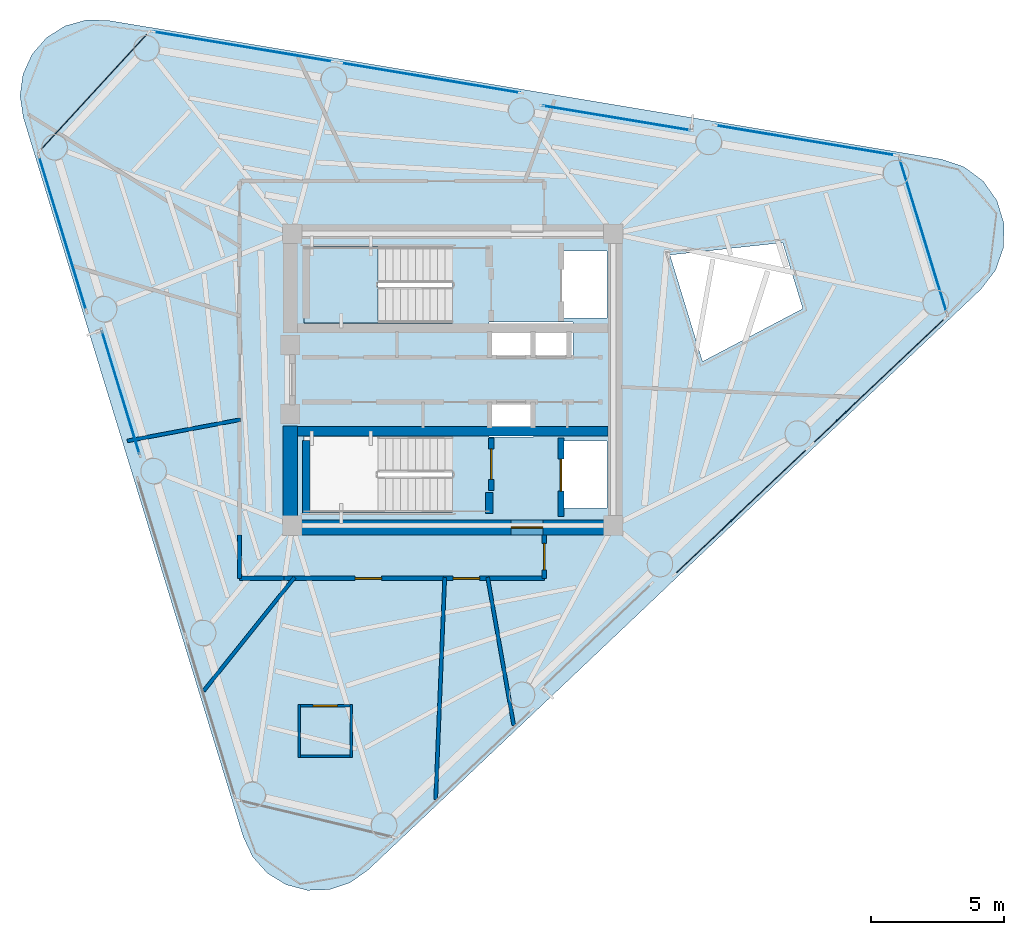
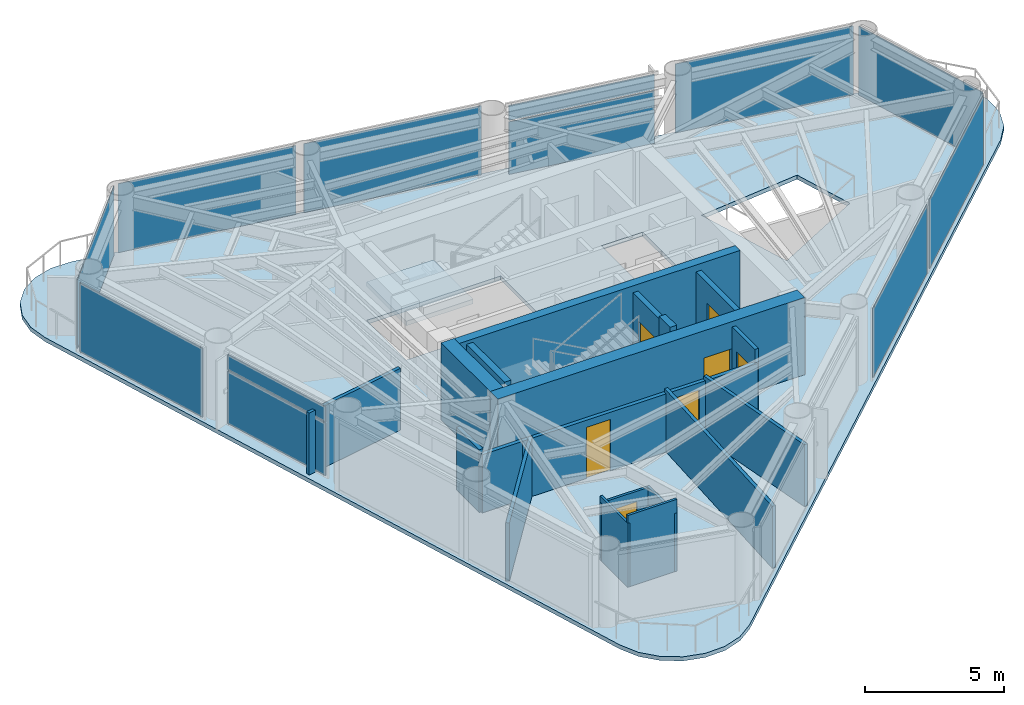
# One storey, part 5 of 9: 19 walls, 12 plates, 7 doors, 2 slabs, 7 openings, 11 elements without a shape of their own.
"""IFC4 building model written with IfcOpenShell, lengths in metres."""

from ifc_helpers import new_model, si_unit, direction, frame, frame_2d, origin, origin_2d, place, context, subcontext, project, spatial, polyline, rectangle, outline, extrude, source, transform, mapped, material, layer, layer_set, type_object, element, fill, aggregate, save


model = new_model("IFC4")

# Units and contexts
model_context = context("Model", 3, precision=1e-05, world=origin(), true_north=direction((0.0, 1.0)))
body_context = subcontext(model_context, "Body", "Model", "MODEL_VIEW")
ifc_project = project(units=[si_unit("LENGTHUNIT", "METRE"), si_unit("AREAUNIT", "SQUARE_METRE"), si_unit("VOLUMEUNIT", "CUBIC_METRE"), si_unit("PLANEANGLEUNIT", "RADIAN"), si_unit("MASSUNIT", "GRAM", prefix="KILO")], contexts=[model_context])

# Site, building, storey
site_placement = place(None, origin())
site = spatial("IfcSite", under=ifc_project, at=site_placement, CompositionType="ELEMENT")
building_placement = place(site_placement, origin())
building = spatial("IfcBuilding", under=site, at=building_placement, Name="Yunling Apex Tower", CompositionType="ELEMENT")
storey_placement = place(building_placement, frame((0.0, 0.0, 249.050048828125)))
storey = spatial("IfcBuildingStorey", under=building, at=storey_placement, Name="L61", CompositionType="ELEMENT", Elevation=249.050048828125)

# Slab
ifc_material_1 = material(Name="Concrete C40", Category="concrete")
ifc_layer_1 = layer(ifc_material_1, 0.155029296875)
ifc_layer_set_1 = layer_set([ifc_layer_1], Name="Concrete C40")
slab_type_1 = type_object("IfcSlabType", Name="SL-FLR-3", PredefinedType="FLOOR", material=ifc_layer_set_1)
slab_1_placement = place(storey_placement, frame((0.0, 0.0, -0.179931640625)))
element("IfcSlab", 1, at=slab_1_placement, inside=storey, type_object=slab_type_1, Name="L61 Composite Tower Floor Slab", PredefinedType="FLOOR", context=body_context, shape_type="SweptSolid", body=[
    extrude(outline(polyline([(-7.894287109375, -17.243408203125), (-7.54052734375, -17.991455078125), (-6.9873046875, -18.60693359375), (-6.281005859375, -19.0380859375), (-5.480712890625, -19.249267578125), (-4.65380859375, -19.22216796875), (-3.868896484375, -18.959716796875), (-3.192138671875, -18.483154296875), (19.91064453125, 3.409912109375), (20.459716796875, 4.126220703125), (20.7578125, 4.977783203125), (20.776123046875, 5.880126953125), (20.51220703125, 6.7431640625), (19.99267578125, 7.48095703125), (19.26904296875, 8.02001953125), (18.41357421875, 8.306884765625), (-12.982177734375, 13.538330078125), (-13.8095703125, 13.5546875), (-14.60693359375, 13.33349609375), (-15.307861328125, 12.8935546875), (-15.853271484375, 12.27099609375), (-16.197509765625, 11.5185546875), (-16.31201171875, 10.698974609375), (-16.187255859375, 9.881103515625), (-7.894287109375, -17.243408203125)]), holes=[polyline([(8.18408203125, 4.697998046875), (12.434326171875, 5.160888671875), (13.194580078125, 2.674560546875), (9.412109375, 0.681640625), (8.18408203125, 4.697998046875)]), polyline([(4.090087890625, -2.320068359375), (5.81005859375, -2.320068359375), (5.81005859375, -4.840087890625), (4.090087890625, -4.840087890625), (4.090087890625, -2.320068359375)]), polyline([(4.090087890625, 4.840087890625), (5.81005859375, 4.840087890625), (5.81005859375, 2.320068359375), (4.090087890625, 2.320068359375), (4.090087890625, 4.840087890625)]), polyline([(1.364990234375, 0.794921875), (1.364990234375, 2.1650390625), (4.534912109375, 2.1650390625), (4.534912109375, 0.794921875), (1.364990234375, 0.794921875)]), polyline([(1.364990234375, -0.794921875), (3.034912109375, -0.794921875), (3.034912109375, -2.1650390625), (1.364990234375, -2.1650390625), (1.364990234375, -0.794921875)]), polyline([(-0.010009765625, -5.010009765625), (-5.60009765625, -5.010009765625), (-5.60009765625, -2.139892578125), (-0.010009765625, -2.139892578125), (-0.010009765625, -5.010009765625)]), polyline([(-0.010009765625, 2.139892578125), (-5.60009765625, 2.139892578125), (-5.60009765625, 5.010009765625), (-0.010009765625, 5.010009765625), (-0.010009765625, 2.139892578125)])]), origin(), (0.0, 0.0, 1.0), 0.179931640625),
])

# Stair, slab
stair_type = type_object("IfcStairType", Name="ST-TWR-3", PredefinedType="HALF_TURN_STAIR", material=ifc_material_1)
stair_placement = place(storey_placement, origin())
stair = element("IfcStair", 2, at=stair_placement, inside=storey, type_object=stair_type, Name="L61 North Core Smokeproof Exit Stair ST-1", PredefinedType="HALF_TURN_STAIR")
ifc_layer_2 = layer(ifc_material_1, 0.195068359375)
ifc_layer_set_2 = layer_set([ifc_layer_2], Name="Concrete C40")
slab_type_2 = type_object("IfcSlabType", Name="SL-LND-1", PredefinedType="LANDING", material=ifc_layer_set_2)
slab_2_placement = place(storey_placement, frame((0.0, 0.0, 1.5048828125)))
slab_2 = element("IfcSlab", 3, at=slab_2_placement, type_object=slab_type_2, Name="ST-1 landing 1", PredefinedType="LANDING", context=body_context, shape_type="SweptSolid", body=[
    extrude(outline(polyline([(-2.81005859375, 5.010009765625), (-5.60009765625, 5.010009765625), (-5.60009765625, 2.139892578125), (-2.81005859375, 2.139892578125), (-2.81005859375, 5.010009765625)])), origin(), (0.0, 0.0, 1.0), 0.195068359375),
])
aggregate(stair, [slab_2])

# Curtain wall, plate
ifc_material_2 = material(Name="Bronze anodised aluminium", Category="aluminium")
ifc_layer_3 = layer(ifc_material_2, 0.219970703125)
ifc_layer_set_3 = layer_set([ifc_layer_3], Name="Bronze anodised aluminium")
curtain_wall_type = type_object("IfcCurtainWallType", Name="CW-SYS-4", PredefinedType="NOTDEFINED", material=ifc_layer_set_3)
curtain_wall_1_placement = place(storey_placement, origin())
curtain_wall_1 = element("IfcCurtainWall", 4, at=curtain_wall_1_placement, inside=storey, type_object=curtain_wall_type, Name="CW-L61-F1-B3", PredefinedType="NOTDEFINED")
ifc_material_3 = material(Name="Bronze tinted low-E glass", Category="glass")
ifc_layer_4 = layer(ifc_material_3, 0.030029296875)
ifc_layer_set_4 = layer_set([ifc_layer_4], Name="Bronze tinted low-E glass")
plate_type = type_object("IfcPlateType", Name="CW-PNL-4", PredefinedType="CURTAIN_PANEL", material=ifc_layer_set_4)
shared_shape_1 = source(origin(), body_context, "Body", "SweptSolid", [
    extrude(rectangle(XDim=6.857421875, YDim=0.030029296875, at=origin_2d()), origin(), (0.0, 0.0, 1.0), 3.035888671875),
])
plate_1_placement = place(storey_placement, frame((10.862060546875, -4.97216796875, 0.07177734375), z_axis=(0.0, 0.0, 1.0), x_axis=(0.72585471909, 0.687848040467, 0.0)))
plate_1 = element("IfcPlate", 5, at=plate_1_placement, type_object=plate_type, Name="CW-SYS-4 panel 1.1", PredefinedType="CURTAIN_PANEL", context=body_context, shape_type="MappedRepresentation", body=[
    mapped(shared_shape_1, transform((0.0, 0.0, 0.0), scale=1.0)),
])
aggregate(curtain_wall_1, [plate_1])

curtain_wall_2_placement = place(storey_placement, origin())
curtain_wall_2 = element("IfcCurtainWall", 6, at=curtain_wall_2_placement, inside=storey, type_object=curtain_wall_type, Name="CW-L61-F1-B4", PredefinedType="NOTDEFINED")
plate_2_placement = place(storey_placement, frame((16.060302734375, -0.046142578125, 0.07177734375), z_axis=(0.0, 0.0, 1.0), x_axis=(0.72585471909, 0.687848040467, 0.0)))
plate_2 = element("IfcPlate", 7, at=plate_2_placement, type_object=plate_type, Name="CW-SYS-4 panel 1.1", PredefinedType="CURTAIN_PANEL", context=body_context, shape_type="MappedRepresentation", body=[
    mapped(shared_shape_1, transform((0.0, 0.0, 0.0), scale=1.0)),
])
aggregate(curtain_wall_2, [plate_2])

curtain_wall_3_placement = place(storey_placement, origin())
curtain_wall_3 = element("IfcCurtainWall", 8, at=curtain_wall_3_placement, inside=storey, type_object=curtain_wall_type, Name="CW-L61-F2-B1", PredefinedType="NOTDEFINED")
plate_3_placement = place(storey_placement, frame((13.288818359375, 9.01904296875, 0.07177734375), z_axis=(0.0, 0.0, 1.0), x_axis=(-0.9864016432, 0.164352664392, 0.0)))
plate_3 = element("IfcPlate", 9, at=plate_3_placement, type_object=plate_type, Name="CW-SYS-4 panel 1.1", PredefinedType="CURTAIN_PANEL", context=body_context, shape_type="MappedRepresentation", body=[
    mapped(shared_shape_1, transform((0.0, 0.0, 0.0), scale=1.0)),
])
aggregate(curtain_wall_3, [plate_3])

curtain_wall_4_placement = place(storey_placement, origin())
curtain_wall_4 = element("IfcCurtainWall", 10, at=curtain_wall_4_placement, inside=storey, type_object=curtain_wall_type, Name="CW-L61-F2-B3", PredefinedType="NOTDEFINED")
plate_4_placement = place(storey_placement, frame((-0.83935546875, 11.373046875, 0.07177734375), z_axis=(0.0, 0.0, 1.0), x_axis=(-0.9864016432, 0.164352664392, 0.0)))
plate_4 = element("IfcPlate", 11, at=plate_4_placement, type_object=plate_type, Name="CW-SYS-4 panel 1.1", PredefinedType="CURTAIN_PANEL", context=body_context, shape_type="MappedRepresentation", body=[
    mapped(shared_shape_1, transform((0.0, 0.0, 0.0), scale=1.0)),
])
aggregate(curtain_wall_4, [plate_4])

curtain_wall_5_placement = place(storey_placement, origin())
curtain_wall_5 = element("IfcCurtainWall", 12, at=curtain_wall_5_placement, inside=storey, type_object=curtain_wall_type, Name="CW-L61-F2-B4", PredefinedType="NOTDEFINED")
plate_5_placement = place(storey_placement, frame((-7.9033203125, 12.550048828125, 0.07177734375), z_axis=(0.0, 0.0, 1.0), x_axis=(-0.9864016432, 0.164352664392, 0.0)))
plate_5 = element("IfcPlate", 13, at=plate_5_placement, type_object=plate_type, Name="CW-SYS-4 panel 1.1", PredefinedType="CURTAIN_PANEL", context=body_context, shape_type="MappedRepresentation", body=[
    mapped(shared_shape_1, transform((0.0, 0.0, 0.0), scale=1.0)),
])
aggregate(curtain_wall_5, [plate_5])

# Curtain wall, plates
curtain_wall_6_placement = place(storey_placement, origin())
curtain_wall_6 = element("IfcCurtainWall", 14, at=curtain_wall_6_placement, inside=storey, type_object=curtain_wall_type, Name="CW-L61-F2-B2", PredefinedType="NOTDEFINED")
shared_shape_2 = source(origin(), body_context, "Body", "SweptSolid", [
    extrude(rectangle(XDim=5.617431640625, YDim=0.030029296875, at=origin_2d()), origin(), (0.0, 0.0, 1.0), 2.312744140625),
])
plate_6_placement = place(storey_placement, frame((6.168701171875, 9.860595703125, 0.07177734375), z_axis=(0.0, 0.0, 1.0), x_axis=(-0.986398614513, 0.164370840747, 0.0)))
plate_6 = element("IfcPlate", 15, at=plate_6_placement, type_object=plate_type, Name="CW-SYS-4 panel 1.1", PredefinedType="CURTAIN_PANEL", context=body_context, shape_type="MappedRepresentation", body=[
    mapped(shared_shape_2, transform((0.0, 0.0, 0.0), scale=1.0)),
])
shared_shape_3 = source(origin(), body_context, "Body", "SweptSolid", [
    extrude(rectangle(XDim=5.617431640625, YDim=0.030029296875, at=origin_2d()), origin(), (0.0, 0.0, 1.0), 0.6591796875),
])
plate_7_placement = place(storey_placement, frame((6.168701171875, 9.860595703125, 2.44873046875), z_axis=(0.0, 0.0, 1.0), x_axis=(-0.986398614513, 0.164370840747, 0.0)))
plate_7 = element("IfcPlate", 16, at=plate_7_placement, type_object=plate_type, Name="CW-SYS-4 panel 1.2", PredefinedType="CURTAIN_PANEL", context=body_context, shape_type="MappedRepresentation", body=[
    mapped(shared_shape_3, transform((0.0, 0.0, 0.0), scale=1.0)),
])
aggregate(curtain_wall_6, [plate_6, plate_7])

# Curtain wall, plate
curtain_wall_7_placement = place(storey_placement, origin())
curtain_wall_7 = element("IfcCurtainWall", 17, at=curtain_wall_7_placement, inside=storey, type_object=curtain_wall_type, Name="CW-L61-CRN1", PredefinedType="NOTDEFINED")
shared_shape_4 = source(origin(), body_context, "Body", "SweptSolid", [
    extrude(rectangle(XDim=6.108642578125, YDim=0.030029296875, at=origin_2d()), origin(), (0.0, 0.0, 1.0), 3.035888671875),
])
plate_8_placement = place(storey_placement, frame((17.7314453125, 5.421142578125, 0.07177734375), z_axis=(0.0, 0.0, 1.0), x_axis=(-0.292369275379, 0.956305498685, 0.0)))
plate_8 = element("IfcPlate", 18, at=plate_8_placement, type_object=plate_type, Name="CW-SYS-4 panel 1.1", PredefinedType="CURTAIN_PANEL", context=body_context, shape_type="MappedRepresentation", body=[
    mapped(shared_shape_4, transform((0.0, 0.0, 0.0), scale=1.0)),
])
aggregate(curtain_wall_7, [plate_8])

curtain_wall_8_placement = place(storey_placement, origin())
curtain_wall_8 = element("IfcCurtainWall", 19, at=curtain_wall_8_placement, inside=storey, type_object=curtain_wall_type, Name="CW-L61-CRN2", PredefinedType="NOTDEFINED")
shared_shape_5 = source(origin(), body_context, "Body", "SweptSolid", [
    extrude(rectangle(XDim=6.033203125, YDim=0.030029296875, at=origin_2d()), origin(), (0.0, 0.0, 1.0), 3.035888671875),
])
plate_9_placement = place(storey_placement, frame((-13.529052734375, 10.84521484375, 0.07177734375), z_axis=(0.0, 0.0, 1.0), x_axis=(-0.676835909266, -0.736133922549, 0.0)))
plate_9 = element("IfcPlate", 20, at=plate_9_placement, type_object=plate_type, Name="CW-SYS-4 panel 1.1", PredefinedType="CURTAIN_PANEL", context=body_context, shape_type="MappedRepresentation", body=[
    mapped(shared_shape_5, transform((0.0, 0.0, 0.0), scale=1.0)),
])
aggregate(curtain_wall_8, [plate_9])

curtain_wall_9_placement = place(storey_placement, origin())
curtain_wall_9 = element("IfcCurtainWall", 21, at=curtain_wall_9_placement, inside=storey, type_object=curtain_wall_type, Name="CW-L61-F3-B1", PredefinedType="NOTDEFINED")
shared_shape_6 = source(origin(), body_context, "Body", "SweptSolid", [
    extrude(rectangle(XDim=6.077880859375, YDim=0.030029296875, at=origin_2d()), origin(), (0.0, 0.0, 1.0), 3.035888671875),
])
plate_10_placement = place(storey_placement, frame((-14.705810546875, 5.51416015625, 0.07177734375), z_axis=(0.0, 0.0, 1.0), x_axis=(0.29237206414, -0.956304646078, 0.0)))
plate_10 = element("IfcPlate", 22, at=plate_10_placement, type_object=plate_type, Name="CW-SYS-4 panel 1.1", PredefinedType="CURTAIN_PANEL", context=body_context, shape_type="MappedRepresentation", body=[
    mapped(shared_shape_6, transform((0.0, 0.0, 0.0), scale=1.0)),
])
aggregate(curtain_wall_9, [plate_10])

# Curtain wall, plates
curtain_wall_10_placement = place(storey_placement, origin())
curtain_wall_10 = element("IfcCurtainWall", 23, at=curtain_wall_10_placement, inside=storey, type_object=curtain_wall_type, Name="CW-L61-F3-B2", PredefinedType="NOTDEFINED")
shared_shape_7 = source(origin(), body_context, "Body", "SweptSolid", [
    extrude(rectangle(XDim=4.837890625, YDim=0.030029296875, at=origin_2d()), origin(), (0.0, 0.0, 1.0), 2.312744140625),
])
plate_11_placement = place(storey_placement, frame((-12.5146484375, -0.489501953125, 0.07177734375), z_axis=(0.0, 0.0, 1.0), x_axis=(0.29237304737, -0.956304345474, 0.0)))
plate_11 = element("IfcPlate", 24, at=plate_11_placement, type_object=plate_type, Name="CW-SYS-4 panel 1.1", PredefinedType="CURTAIN_PANEL", context=body_context, shape_type="MappedRepresentation", body=[
    mapped(shared_shape_7, transform((0.0, 0.0, 0.0), scale=1.0)),
])
shared_shape_8 = source(origin(), body_context, "Body", "SweptSolid", [
    extrude(rectangle(XDim=4.837890625, YDim=0.030029296875, at=origin_2d()), origin(), (0.0, 0.0, 1.0), 0.6591796875),
])
plate_12_placement = place(storey_placement, frame((-12.5146484375, -0.489501953125, 2.44873046875), z_axis=(0.0, 0.0, 1.0), x_axis=(0.29237304737, -0.956304345474, 0.0)))
plate_12 = element("IfcPlate", 25, at=plate_12_placement, type_object=plate_type, Name="CW-SYS-4 panel 1.2", PredefinedType="CURTAIN_PANEL", context=body_context, shape_type="MappedRepresentation", body=[
    mapped(shared_shape_8, transform((0.0, 0.0, 0.0), scale=1.0)),
])
aggregate(curtain_wall_10, [plate_11, plate_12])

# Wall, opening, door
ifc_layer_5 = layer(ifc_material_1, 0.550048828125)
ifc_layer_set_5 = layer_set([ifc_layer_5], Name="Concrete C40")
wall_type_1 = type_object("IfcWallType", Name="WL-COR-3", PredefinedType="SHEAR", material=ifc_layer_set_5)
wall_1_placement = place(storey_placement, frame((-6.39990234375, -5.574951171875, 0.0), z_axis=(0.0, 0.0, 1.0), x_axis=(1.0, 0.0, 0.0)))
wall_1 = element("IfcWall", 26, at=wall_1_placement, inside=storey, type_object=wall_type_1, Name="L61 South Core Shear Wall", PredefinedType="SHEAR", context=body_context, shape_type="SweptSolid", body=[
    extrude(rectangle(XDim=12.7998046875, YDim=0.550048828125, at=frame_2d((6.39990234375, 0.0))), origin(), (0.0, 0.0, 1.0), 3.39990234375),
])
opening_1_placement = place(wall_1_placement, frame((8.60009765625, 0.0, 0.0)))
opening_1 = element("IfcOpeningElement", 27, at=opening_1_placement, cuts=wall_1, Name="Opening DR-FFL-1", PredefinedType="OPENING", context=body_context, shape_type="SweptSolid", body=[
    extrude(rectangle(XDim=1.199951171875, YDim=2.199951171875, at=frame_2d((0.60009765625, 1.10009765625))), frame((0.0, 0.28515625, 0.0), z_axis=(0.0, -1.0, 0.0), x_axis=(1.0, 0.0, 0.0)), (0.0, 0.0, 1.0), 0.570068359375),
])
ifc_material_4 = material(Name="Steel Q355B", Category="steel")
door_type_1 = type_object("IfcDoorType", Name="DR-FFL-1", OperationType="NOTDEFINED", PredefinedType="DOOR", material=ifc_material_4)
door_1_placement = place(opening_1_placement, origin())
door_1 = element("IfcDoor", 28, at=door_1_placement, inside=storey, type_object=door_type_1, Name="L61 South Firefighting Lobby Door", OperationType="SINGLE_SWING_RIGHT", OverallHeight=2.199951171875, OverallWidth=1.199951171875, PredefinedType="DOOR", context=body_context, shape_type="SweptSolid", body=[
    extrude(rectangle(XDim=1.199951171875, YDim=2.199951171875, at=frame_2d((0.60009765625, 1.10009765625))), frame((0.0, 0.02490234375, 0.0), z_axis=(0.0, -1.0, 0.0), x_axis=(1.0, 0.0, 0.0)), (0.0, 0.0, 1.0), 0.050048828125),
])
fill(opening_1, door_1)

# Walls
wall_2_placement = place(storey_placement, frame((-6.125, -5.300048828125, 0.0), z_axis=(0.0, 0.0, 1.0), x_axis=(0.0, 1.0, 0.0)))
element("IfcWall", 29, at=wall_2_placement, inside=storey, type_object=wall_type_1, Name="L61 West-South Core Shear Wall", PredefinedType="SHEAR", context=body_context, shape_type="SweptSolid", body=[
    extrude(rectangle(XDim=3.550048828125, YDim=0.550048828125, at=frame_2d((1.77490234375, 0.0))), origin(), (0.0, 0.0, 1.0), 3.39990234375),
])
ifc_layer_6 = layer(ifc_material_1, 0.360107421875)
ifc_layer_set_6 = layer_set([ifc_layer_6], Name="Concrete C40")
wall_type_2 = type_object("IfcWallType", Name="WL-COR-4", PredefinedType="SHEAR", material=ifc_layer_set_6)
wall_3_placement = place(storey_placement, frame((-5.85009765625, -1.93994140625, 0.0), z_axis=(0.0, 0.0, 1.0), x_axis=(1.0, 0.0, 0.0)))
element("IfcWall", 30, at=wall_3_placement, inside=storey, type_object=wall_type_2, Name="L61 South Internal Core Shear Wall", PredefinedType="SHEAR", context=body_context, shape_type="SweptSolid", body=[
    extrude(rectangle(XDim=11.7001953125, YDim=0.360107421875, at=frame_2d((5.85009765625, 0.0))), origin(), (0.0, 0.0, 1.0), 3.39990234375),
])
ifc_layer_7 = layer(ifc_material_1, 0.280029296875)
ifc_layer_set_7 = layer_set([ifc_layer_7], Name="Concrete C40")
wall_type_3 = type_object("IfcWallType", Name="WL-COR-8", PredefinedType="SHEAR", material=ifc_layer_set_7)
wall_4_placement = place(storey_placement, frame((-5.52001953125, -5.050048828125, 0.0), z_axis=(0.0, 0.0, 1.0), x_axis=(0.0, 1.0, 0.0)))
element("IfcWall", 31, at=wall_4_placement, inside=storey, type_object=wall_type_3, Name="L61 ST-2 West Landing Bearing Wall", PredefinedType="SHEAR", context=body_context, shape_type="SweptSolid", body=[
    extrude(rectangle(XDim=2.75, YDim=0.280029296875, at=frame_2d((1.375, 0.0))), origin(), (0.0, 0.0, 1.0), 3.39990234375),
])
wall_5_placement = place(storey_placement, frame((1.3798828125, -5.050048828125, 0.0), z_axis=(0.0, 0.0, 1.0), x_axis=(0.0, 1.0, 0.0)))
element("IfcWall", 32, at=wall_5_placement, inside=storey, type_object=wall_type_3, Name="L61 ST-2 East Landing Bearing Pier", PredefinedType="SHEAR", context=body_context, shape_type="SweptSolid", body=[
    extrude(rectangle(XDim=0.800048828125, YDim=0.280029296875, at=frame_2d((0.39990234375, 0.0))), origin(), (0.0, 0.0, 1.0), 3.39990234375),
])

# Wall, opening, door
ifc_material_5 = material(Name="Gypsum board acoustic partition")
ifc_layer_8 = layer(ifc_material_5, 0.159912109375)
ifc_layer_set_8 = layer_set([ifc_layer_8], Name="Gypsum board acoustic partition")
wall_type_4 = type_object("IfcWallType", Name="WL-PRT-1", PredefinedType="PARTITIONING", material=ifc_layer_set_8)
wall_6_placement = place(storey_placement, frame((3.449951171875, -5.85009765625, 0.0), z_axis=(0.0, 0.0, 1.0), x_axis=(0.0, -1.0, 0.0)))
wall_6 = element("IfcWall", 33, at=wall_6_placement, inside=storey, type_object=wall_type_4, Name="WL-CORR-L61-05", PredefinedType="PARTITIONING", context=body_context, shape_type="SweptSolid", body=[
    extrude(rectangle(XDim=1.639892578125, YDim=0.159912109375, at=frame_2d((0.81982421875, 0.0))), origin(), (0.0, 0.0, 1.0), 3.159912109375),
])
opening_2_placement = place(wall_6_placement, frame((0.320068359375, 0.0, 0.0)))
opening_2 = element("IfcOpeningElement", 34, at=opening_2_placement, cuts=wall_6, Name="Opening DR-OFF-1", PredefinedType="OPENING", context=body_context, shape_type="SweptSolid", body=[
    extrude(rectangle(XDim=1.0, YDim=2.25, at=frame_2d((0.5, 1.125))), frame((0.0, 0.08984375, 0.0), z_axis=(0.0, -1.0, 0.0), x_axis=(1.0, 0.0, 0.0)), (0.0, 0.0, 1.0), 0.179931640625),
])
door_type_2 = type_object("IfcDoorType", Name="DR-OFF-1", OperationType="NOTDEFINED", PredefinedType="DOOR", material=ifc_material_2)
door_2_placement = place(opening_2_placement, origin())
door_2 = element("IfcDoor", 35, at=door_2_placement, inside=storey, type_object=door_type_2, Name="L61 Concierge Reception Foyer Door", OperationType="SINGLE_SWING_LEFT", OverallHeight=2.25, OverallWidth=1.0, PredefinedType="DOOR", context=body_context, shape_type="SweptSolid", body=[
    extrude(rectangle(XDim=1.0, YDim=2.25, at=frame_2d((0.5, 1.125))), frame((0.0, 0.02490234375, 0.0), z_axis=(0.0, -1.0, 0.0), x_axis=(1.0, 0.0, 0.0)), (0.0, 0.0, 1.0), 0.050048828125),
])
fill(opening_2, door_2)

# Wall, openings, doors
wall_7_placement = place(storey_placement, frame((3.449951171875, -7.489990234375, 0.0), z_axis=(0.0, 0.0, 1.0), x_axis=(-1.0, 0.0, 0.0)))
wall_7 = element("IfcWall", 36, at=wall_7_placement, inside=storey, type_object=wall_type_4, Name="WL-CORR-L61-06", PredefinedType="PARTITIONING", context=body_context, shape_type="SweptSolid", body=[
    extrude(rectangle(XDim=9.81005859375, YDim=0.159912109375, at=frame_2d((4.905029296875, 0.0))), origin(), (0.0, 0.0, 1.0), 2.56494140625),
])
opening_3_placement = place(wall_7_placement, frame((2.437255859375, 0.0, 0.0)))
opening_3 = element("IfcOpeningElement", 37, at=opening_3_placement, cuts=wall_7, Name="Opening DR-OFF-1", PredefinedType="OPENING", context=body_context, shape_type="SweptSolid", body=[
    extrude(rectangle(XDim=1.0, YDim=2.25, at=frame_2d((0.5, 1.125))), frame((0.0, 0.08984375, 0.0), z_axis=(0.0, -1.0, 0.0), x_axis=(1.0, 0.0, 0.0)), (0.0, 0.0, 1.0), 0.179931640625),
])
opening_4_placement = place(wall_7_placement, frame((6.135009765625, 0.0, 0.0)))
opening_4 = element("IfcOpeningElement", 38, at=opening_4_placement, cuts=wall_7, Name="Opening DR-OFF-1", PredefinedType="OPENING", context=body_context, shape_type="SweptSolid", body=[
    extrude(rectangle(XDim=1.0, YDim=2.25, at=frame_2d((0.5, 1.125))), frame((0.0, 0.08984375, 0.0), z_axis=(0.0, -1.0, 0.0), x_axis=(1.0, 0.0, 0.0)), (0.0, 0.0, 1.0), 0.179931640625),
])
door_3_placement = place(opening_3_placement, origin())
door_3 = element("IfcDoor", 39, at=door_3_placement, inside=storey, type_object=door_type_2, Name="L61 Residents Quiet Study Lounge Door", OperationType="SINGLE_SWING_RIGHT", OverallHeight=2.25, OverallWidth=1.0, PredefinedType="DOOR", context=body_context, shape_type="SweptSolid", body=[
    extrude(rectangle(XDim=1.0, YDim=2.25, at=frame_2d((0.5, 1.125))), frame((0.0, 0.02490234375, 0.0), z_axis=(0.0, -1.0, 0.0), x_axis=(1.0, 0.0, 0.0)), (0.0, 0.0, 1.0), 0.050048828125),
])
fill(opening_3, door_3)
door_4_placement = place(opening_4_placement, origin())
door_4 = element("IfcDoor", 40, at=door_4_placement, inside=storey, type_object=door_type_2, Name="L61 Concierge Reception Foyer Door", OperationType="SINGLE_SWING_LEFT", OverallHeight=2.25, OverallWidth=1.0, PredefinedType="DOOR", context=body_context, shape_type="SweptSolid", body=[
    extrude(rectangle(XDim=1.0, YDim=2.25, at=frame_2d((0.5, 1.125))), frame((0.0, 0.02490234375, 0.0), z_axis=(0.0, -1.0, 0.0), x_axis=(1.0, 0.0, 0.0)), (0.0, 0.0, 1.0), 0.050048828125),
])
fill(opening_4, door_4)

# Walls
wall_8_placement = place(storey_placement, frame((-6.360107421875, -7.489990234375, 0.0), z_axis=(0.0, 0.0, 1.0), x_axis=(-1.0, 0.0, 0.0)))
element("IfcWall", 41, at=wall_8_placement, inside=storey, type_object=wall_type_4, Name="WL-CORR-L61-07", PredefinedType="PARTITIONING", context=body_context, shape_type="SweptSolid", body=[
    extrude(rectangle(XDim=1.679931640625, YDim=0.159912109375, at=frame_2d((0.83984375, 0.0))), origin(), (0.0, 0.0, 1.0), 2.56494140625),
])
wall_9_placement = place(storey_placement, frame((-8.0400390625, -7.489990234375, 0.0), z_axis=(0.0, 0.0, 1.0), x_axis=(0.0, 1.0, 0.0)))
element("IfcWall", 42, at=wall_9_placement, inside=storey, type_object=wall_type_4, Name="WL-CORR-L61-08", PredefinedType="PARTITIONING", context=body_context, shape_type="SweptSolid", body=[
    extrude(rectangle(XDim=1.639892578125, YDim=0.159912109375, at=frame_2d((0.81982421875, 0.0))), origin(), (0.0, 0.0, 1.0), 2.764892578125),
])
ifc_layer_9 = layer(ifc_material_5, 0.139892578125)
ifc_layer_set_9 = layer_set([ifc_layer_9], Name="Gypsum board acoustic partition")
wall_type_5 = type_object("IfcWallType", Name="WL-PRT-2", PredefinedType="PARTITIONING", material=ifc_layer_set_9)
wall_10_placement = place(storey_placement, frame((-8.0, -1.5068359375, 0.0), z_axis=(0.0, 0.0, 1.0), x_axis=(-0.982724350189, -0.185075259138, 0.0)))
element("IfcWall", 43, at=wall_10_placement, inside=storey, type_object=wall_type_5, Name="WL-RAD-L61-06", PredefinedType="PARTITIONING", context=body_context, shape_type="SweptSolid", body=[
    extrude(rectangle(XDim=4.3466796875, YDim=0.139892578125, at=frame_2d((2.17333984375, 0.0))), origin(), (0.0, 0.0, 1.0), 2.724853515625),
])
wall_11_placement = place(storey_placement, frame((-5.96142578125, -7.449951171875, 0.0), z_axis=(0.0, 0.0, 1.0), x_axis=(-0.624787267525, -0.780795024535, 0.0)))
element("IfcWall", 44, at=wall_11_placement, inside=storey, type_object=wall_type_5, Name="WL-RAD-L61-07", PredefinedType="PARTITIONING", context=body_context, shape_type="SweptSolid", body=[
    extrude(rectangle(XDim=5.48828125, YDim=0.139892578125, at=frame_2d((2.744140625, 0.0))), origin(), (0.0, 0.0, 1.0), 2.56494140625),
])
wall_12_placement = place(storey_placement, frame((-0.3037109375, -7.449951171875, 0.0), z_axis=(0.0, 0.0, 1.0), x_axis=(-0.04070934235, -0.999171031128, 0.0)))
element("IfcWall", 45, at=wall_12_placement, inside=storey, type_object=wall_type_5, Name="WL-RAD-L61-08", PredefinedType="PARTITIONING", context=body_context, shape_type="SweptSolid", body=[
    extrude(rectangle(XDim=8.3779296875, YDim=0.139892578125, at=frame_2d((4.18896484375, 0.0))), origin(), (0.0, 0.0, 1.0), 2.724853515625),
])
wall_13_placement = place(storey_placement, frame((1.313720703125, -7.449951171875, 0.0), z_axis=(0.0, 0.0, 1.0), x_axis=(0.173652657872, -0.984806963021, 0.0)))
element("IfcWall", 46, at=wall_13_placement, inside=storey, type_object=wall_type_5, Name="WL-RAD-L61-09", PredefinedType="PARTITIONING", context=body_context, shape_type="SweptSolid", body=[
    extrude(rectangle(XDim=5.668701171875, YDim=0.139892578125, at=frame_2d((2.83447265625, 0.0))), origin(), (0.0, 0.0, 1.0), 2.724853515625),
])

# Wall, opening, door
ifc_layer_10 = layer(ifc_material_5, 0.10009765625)
ifc_layer_set_10 = layer_set([ifc_layer_10], Name="Gypsum board acoustic partition")
wall_type_6 = type_object("IfcWallType", Name="WL-PRT-4", PredefinedType="PARTITIONING", material=ifc_layer_set_10)
wall_14_placement = place(storey_placement, frame((-5.8310546875, -12.298095703125, 0.0), z_axis=(0.0, 0.0, 1.0), x_axis=(1.0, 0.0, 0.0)))
wall_14 = element("IfcWall", 47, at=wall_14_placement, inside=storey, type_object=wall_type_6, Name="WL-L61-RWC2N", PredefinedType="PARTITIONING", context=body_context, shape_type="SweptSolid", body=[
    extrude(rectangle(XDim=2.050048828125, YDim=0.10009765625, at=frame_2d((1.02490234375, 0.0))), origin(), (0.0, 0.0, 1.0), 2.56494140625),
])
opening_5_placement = place(wall_14_placement, frame((0.56494140625, 0.0, 0.0)))
opening_5 = element("IfcOpeningElement", 48, at=opening_5_placement, cuts=wall_14, Name="Opening DR-WC-1", PredefinedType="OPENING", context=body_context, shape_type="SweptSolid", body=[
    extrude(rectangle(XDim=0.919921875, YDim=2.10009765625, at=frame_2d((0.4599609375, 1.050048828125))), frame((0.0, 0.06005859375, 0.0), z_axis=(0.0, -1.0, 0.0), x_axis=(1.0, 0.0, 0.0)), (0.0, 0.0, 1.0), 0.1201171875),
])
ifc_material_6 = material(Name="Timber moisture-resistant leaf", Category="wood")
door_type_3 = type_object("IfcDoorType", Name="DR-WC-1", OperationType="NOTDEFINED", PredefinedType="DOOR", material=ifc_material_6)
door_5_placement = place(opening_5_placement, origin())
door_5 = element("IfcDoor", 49, at=door_5_placement, inside=storey, type_object=door_type_3, Name="L61 Accessible WC Door", OperationType="SINGLE_SWING_LEFT", OverallHeight=2.10009765625, OverallWidth=0.919921875, PredefinedType="DOOR", context=body_context, shape_type="SweptSolid", body=[
    extrude(rectangle(XDim=0.919921875, YDim=2.10009765625, at=frame_2d((0.4599609375, 1.050048828125))), frame((0.0, 0.02490234375, 0.0), z_axis=(0.0, -1.0, 0.0), x_axis=(1.0, 0.0, 0.0)), (0.0, 0.0, 1.0), 0.050048828125),
])
fill(opening_5, door_5)

# Walls
wall_15_placement = place(storey_placement, frame((-3.781005859375, -14.197998046875, 0.0), z_axis=(0.0, 0.0, 1.0), x_axis=(-1.0, 0.0, 0.0)))
element("IfcWall", 50, at=wall_15_placement, inside=storey, type_object=wall_type_6, Name="WL-L61-RWC2S", PredefinedType="PARTITIONING", context=body_context, shape_type="SweptSolid", body=[
    extrude(rectangle(XDim=2.050048828125, YDim=0.10009765625, at=frame_2d((1.02490234375, 0.0))), origin(), (0.0, 0.0, 1.0), 3.159912109375),
])
wall_16_placement = place(storey_placement, frame((-3.8310546875, -12.248046875, 0.0), z_axis=(0.0, 0.0, 1.0), x_axis=(0.0, -1.0, 0.0)))
element("IfcWall", 51, at=wall_16_placement, inside=storey, type_object=wall_type_6, Name="WL-L61-RWC2E", PredefinedType="PARTITIONING", context=body_context, shape_type="SweptSolid", body=[
    extrude(rectangle(XDim=2.0, YDim=0.10009765625, at=frame_2d((1.0, 0.0))), origin(), (0.0, 0.0, 1.0), 2.56494140625),
])
wall_17_placement = place(storey_placement, frame((-5.781005859375, -14.248046875, 0.0), z_axis=(0.0, 0.0, 1.0), x_axis=(0.0, 1.0, 0.0)))
element("IfcWall", 52, at=wall_17_placement, inside=storey, type_object=wall_type_6, Name="WL-L61-RWC2W", PredefinedType="PARTITIONING", context=body_context, shape_type="SweptSolid", body=[
    extrude(rectangle(XDim=2.0, YDim=0.10009765625, at=frame_2d((1.0, 0.0))), origin(), (0.0, 0.0, 1.0), 2.81494140625),
])

# Wall, opening, door
ifc_material_7 = material(Name="Autoclaved aerated concrete masonry", Category="masonry")
ifc_layer_11 = layer(ifc_material_7, 0.219970703125)
ifc_layer_set_11 = layer_set([ifc_layer_11], Name="Autoclaved aerated concrete masonry")
wall_type_7 = type_object("IfcWallType", Name="WL-SHF-1", PredefinedType="PLUMBINGWALL", material=ifc_layer_set_11)
wall_18_placement = place(storey_placement, frame((1.449951171875, -4.179931640625, 0.0), z_axis=(0.0, 0.0, 1.0), x_axis=(0.0, 1.0, 0.0)))
wall_18 = element("IfcWall", 53, at=wall_18_placement, inside=storey, type_object=wall_type_7, Name="WL-ST2-E-L61", PredefinedType="PLUMBINGWALL", context=body_context, shape_type="SweptSolid", body=[
    extrude(rectangle(XDim=1.97998046875, YDim=0.219970703125, at=frame_2d((0.989990234375, 0.0))), origin(), (0.0, 0.0, 1.0), 3.159912109375),
])
opening_6_placement = place(wall_18_placement, frame((0.419921875, 0.0, 0.0)))
opening_6 = element("IfcOpeningElement", 54, at=opening_6_placement, cuts=wall_18, Name="Opening DR-ST-1", PredefinedType="OPENING", context=body_context, shape_type="SweptSolid", body=[
    extrude(rectangle(XDim=1.14990234375, YDim=2.14990234375, at=frame_2d((0.574951171875, 1.074951171875))), frame((0.0, 0.1201171875, 0.0), z_axis=(0.0, -1.0, 0.0), x_axis=(1.0, 0.0, 0.0)), (0.0, 0.0, 1.0), 0.239990234375),
])
door_type_4 = type_object("IfcDoorType", Name="DR-ST-1", OperationType="NOTDEFINED", PredefinedType="DOOR", material=ifc_material_4)
door_6_placement = place(opening_6_placement, origin())
door_6 = element("IfcDoor", 55, at=door_6_placement, inside=storey, type_object=door_type_4, Name="L61 Stair ST-2 Fire Door", OperationType="SINGLE_SWING_LEFT", OverallHeight=2.14990234375, OverallWidth=1.14990234375, PredefinedType="DOOR", context=body_context, shape_type="SweptSolid", body=[
    extrude(rectangle(XDim=1.14990234375, YDim=2.14990234375, at=frame_2d((0.574951171875, 1.074951171875))), frame((0.0, 0.02490234375, 0.0), z_axis=(0.0, -1.0, 0.0), x_axis=(1.0, 0.0, 0.0)), (0.0, 0.0, 1.0), 0.050048828125),
])
fill(opening_6, door_6)

wall_19_placement = place(storey_placement, frame((4.080078125, -5.14990234375, 0.0), z_axis=(0.0, 0.0, 1.0), x_axis=(0.0, 1.0, 0.0)))
wall_19 = element("IfcWall", 56, at=wall_19_placement, inside=storey, type_object=wall_type_7, Name="WL-FFL2-W-L61", PredefinedType="PLUMBINGWALL", context=body_context, shape_type="SweptSolid", body=[
    extrude(rectangle(XDim=2.949951171875, YDim=0.219970703125, at=frame_2d((1.47509765625, 0.0))), origin(), (0.0, 0.0, 1.0), 3.159912109375),
])
opening_7_placement = place(wall_19_placement, frame((0.949951171875, 0.0, 0.0)))
opening_7 = element("IfcOpeningElement", 57, at=opening_7_placement, cuts=wall_19, Name="Opening LD-FFL-1", PredefinedType="OPENING", context=body_context, shape_type="SweptSolid", body=[
    extrude(rectangle(XDim=1.199951171875, YDim=2.25, at=frame_2d((0.60009765625, 1.125))), frame((0.0, 0.1201171875, 0.0), z_axis=(0.0, -1.0, 0.0), x_axis=(1.0, 0.0, 0.0)), (0.0, 0.0, 1.0), 0.239990234375),
])
door_type_5 = type_object("IfcDoorType", Name="LD-FFL-1", OperationType="DOUBLE_DOOR_SLIDING", PredefinedType="DOOR", material=ifc_material_4)
door_7_placement = place(opening_7_placement, origin())
door_7 = element("IfcDoor", 58, at=door_7_placement, inside=storey, type_object=door_type_5, Name="L61 Lift FFL-2 Landing Door", OperationType="DOUBLE_DOOR_SLIDING", OverallHeight=2.25, OverallWidth=1.199951171875, PredefinedType="DOOR", context=body_context, shape_type="SweptSolid", body=[
    extrude(rectangle(XDim=1.199951171875, YDim=2.25, at=frame_2d((0.60009765625, 1.125))), frame((0.0, 0.02490234375, 0.0), z_axis=(0.0, -1.0, 0.0), x_axis=(1.0, 0.0, 0.0)), (0.0, 0.0, 1.0), 0.050048828125),
])
fill(opening_7, door_7)

save(model, "model.ifc")
